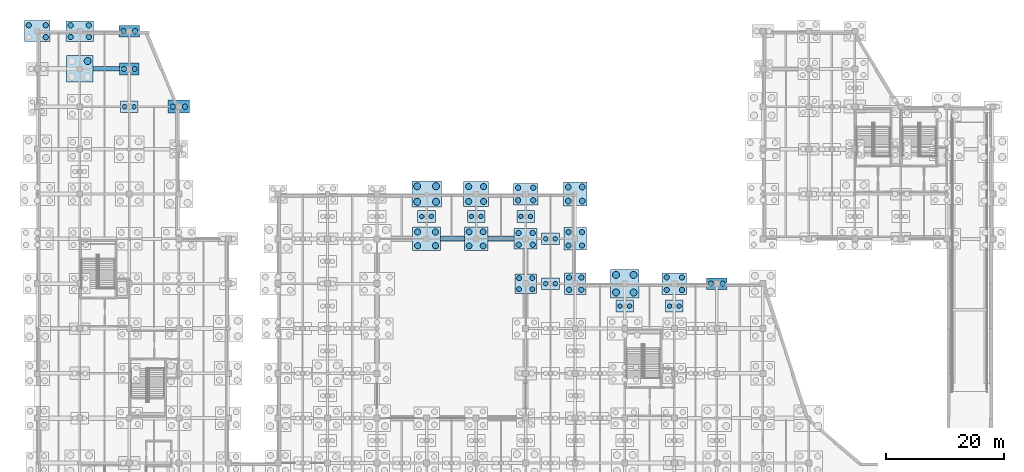
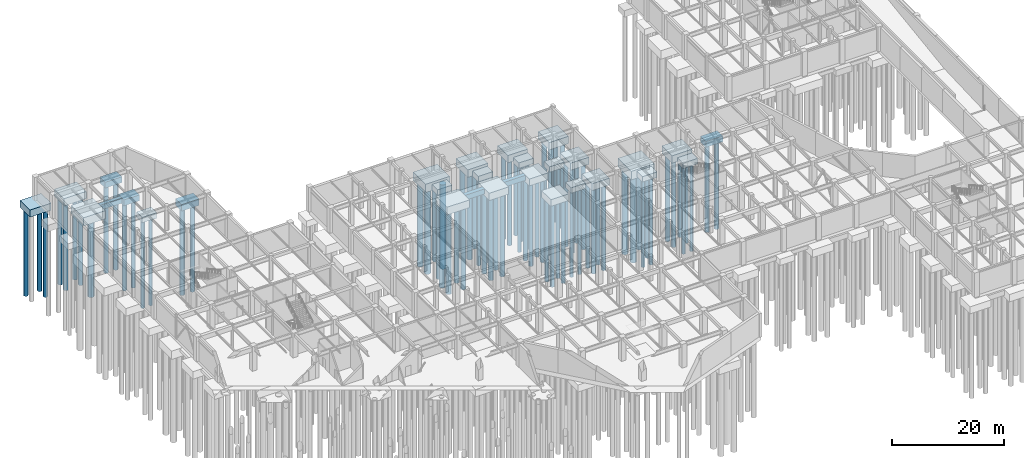
# One storey, part 9 of 52: 80 piles, 30 footings.
"""IFC4 building model written with IfcOpenShell, lengths in metres."""

from ifc_helpers import new_model, si_unit, direction, frame, origin, origin_2d, place, context, subcontext, project, spatial, rectangle, circle, extrude, material, material_profile, profile_set, type_object, element, save


model = new_model("IFC4")

# Units and contexts
model_context = context("Model", 3, precision=1e-05, world=origin(), true_north=direction((0.0, 1.0)))
body_context = subcontext(model_context, "Body", "Model", "MODEL_VIEW")
ifc_project = project(units=[si_unit("LENGTHUNIT", "METRE"), si_unit("AREAUNIT", "SQUARE_METRE"), si_unit("VOLUMEUNIT", "CUBIC_METRE"), si_unit("PLANEANGLEUNIT", "RADIAN"), si_unit("MASSUNIT", "GRAM", prefix="KILO")], contexts=[model_context])

# Site, building, storey
site_placement = place(None, origin())
site = spatial("IfcSite", under=ifc_project, at=site_placement, CompositionType="ELEMENT")
building_placement = place(site_placement, origin())
building = spatial("IfcBuilding", under=site, at=building_placement, Name="Xicomal Pleat Aquarium", CompositionType="ELEMENT")
storey_placement = place(building_placement, frame((0.0, 0.0, -5.39990234375)))
storey = spatial("IfcBuildingStorey", under=building, at=storey_placement, Name="B1", CompositionType="ELEMENT", Elevation=-5.39990234375)

# Footings
ifc_material_1 = material(Name="Concrete C40/50", Category="concrete")
ifc_material_profile_1 = material_profile(ifc_material_1, rectangle(XDim=0.75, YDim=1.10009765625, at=origin_2d()), Name="FB-04 750x1100")
ifc_profile_set_1 = profile_set([ifc_material_profile_1], Name="Concrete C40/50")
footing_type_1 = type_object("IfcFootingType", Name="FTG-FB-750x1100", PredefinedType="FOOTING_BEAM", material=ifc_profile_set_1)
footing_1_placement = place(storey_placement, frame((12.43994140625, 104.800048828125, -1.150146484375), z_axis=(1.0, 0.0, 0.0), x_axis=(0.0, 1.0, 0.0)))
element("IfcFooting", 1, at=footing_1_placement, inside=storey, type_object=footing_type_1, Name="Foundation tie beam 02-03/Q", PredefinedType="FOOTING_BEAM", context=body_context, shape_type="SweptSolid", body=[
    extrude(rectangle(XDim=0.75, YDim=1.10009765625, at=origin_2d()), origin(), (0.0, 0.0, 1.0), 4.52001953125),
])
footing_2_placement = place(storey_placement, frame((71.340087890625, 76.0, -2.10009765625), z_axis=(1.0, 0.0, 0.0), x_axis=(0.0, 1.0, 0.0)))
element("IfcFooting", 2, at=footing_2_placement, inside=storey, type_object=footing_type_1, Name="Foundation tie beam 09-10/L", PredefinedType="FOOTING_BEAM", context=body_context, shape_type="SweptSolid", body=[
    extrude(rectangle(XDim=0.75, YDim=1.10009765625, at=origin_2d()), origin(), (0.0, 0.0, 1.0), 4.06982421875),
])
footing_3_placement = place(storey_placement, frame((79.389892578125, 76.0, -2.10009765625), z_axis=(1.0, 0.0, 0.0), x_axis=(0.0, 1.0, 0.0)))
element("IfcFooting", 3, at=footing_3_placement, inside=storey, type_object=footing_type_1, Name="Foundation tie beam 10-11/L", PredefinedType="FOOTING_BEAM", context=body_context, shape_type="SweptSolid", body=[
    extrude(rectangle(XDim=0.75, YDim=1.10009765625, at=origin_2d()), origin(), (0.0, 0.0, 1.0), 4.47021484375),
])
ifc_material_2 = material(Name="Concrete C40/50", Category="concrete")
footing_type_2 = type_object("IfcFootingType", Name="FTG-PC-3000x2000x1200", PredefinedType="PILE_CAP", material=ifc_material_2)
for number, where, z_axis, x_axis, name in (
    (4, (18.60009765625, 98.39990234375, -1.80029296875), (0.0, 0.0, 1.0), (1.0, 0.0, 0.0), "Pile cap 03-P"),
    (5, (90.0, 68.39990234375, -2.14990234375), (0.0, 0.0, 1.0), (1.0, 0.0, 0.0), "Pile cap SUB-18"),
    (6, (90.0, 76.0, -2.14990234375), (0.0, 0.0, 1.0), (1.0, 0.0, 0.0), "Pile cap SUB-19"),
    (7, (69.0, 79.800048828125, -2.14990234375), (0.0, 0.0, 1.0), (1.0, 0.0, 0.0), "Pile cap SUB-46"),
    (8, (77.39990234375, 79.800048828125, -2.14990234375), (0.0, 0.0, 1.0), (1.0, 0.0, 0.0), "Pile cap SUB-49"),
    (9, (85.800048828125, 79.800048828125, -2.14990234375), (0.0, 0.0, 1.0), (1.0, 0.0, 0.0), "Pile cap SUB-52"),
    (10, (102.60009765625, 64.60009765625, -1.80029296875), (0.0, 0.0, 1.0), (1.0, 0.0, 0.0), "Pile cap SUB-57"),
    (11, (111.0, 64.60009765625, -1.80029296875), (0.0, 0.0, 1.0), (1.0, 0.0, 0.0), "Pile cap SUB-59"),
):
    element("IfcFooting", number, at=place(storey_placement, frame(where, z_axis=z_axis, x_axis=x_axis)), inside=storey, type_object=footing_type_2, Name=name, PredefinedType="PILE_CAP", context=body_context, shape_type="SweptSolid", body=[
        extrude(rectangle(XDim=3.0, YDim=2.0, at=origin_2d()), origin(), (0.0, 0.0, 1.0), 1.199951171875),
    ])
ifc_material_3 = material(Name="Concrete C40/50", Category="concrete")
footing_type_3 = type_object("IfcFootingType", Name="FTG-PC-3300x2100x1300", PredefinedType="PILE_CAP", material=ifc_material_3)
footing_4_placement = place(storey_placement, frame((18.60009765625, 104.800048828125, -1.89990234375), z_axis=(0.0, 0.0, 1.0), x_axis=(1.0, 0.0, 0.0)))
element("IfcFooting", 12, at=footing_4_placement, inside=storey, type_object=footing_type_3, Name="Pile cap 03-Q", PredefinedType="PILE_CAP", context=body_context, shape_type="SweptSolid", body=[
    extrude(rectangle(XDim=3.300048828125, YDim=2.10009765625, at=origin_2d()), origin(), (0.0, 0.0, 1.0), 1.300048828125),
])
ifc_material_4 = material(Name="Concrete C40/50", Category="concrete")
footing_type_4 = type_object("IfcFootingType", Name="FTG-PC-3500x1950x1300", PredefinedType="PILE_CAP", material=ifc_material_4)
for number, where, z_axis, x_axis, name in (
    (13, (18.60009765625, 111.199951171875, -1.89990234375), (0.0, 0.0, 1.0), (1.0, 0.0, 0.0), "Pile cap 03-R"),
    (14, (118.199951171875, 68.39990234375, -1.89990234375), (0.0, 0.0, 1.0), (1.0, 0.0, 0.0), "Pile cap 15-K"),
):
    element("IfcFooting", number, at=place(storey_placement, frame(where, z_axis=z_axis, x_axis=x_axis)), inside=storey, type_object=footing_type_4, Name=name, PredefinedType="PILE_CAP", context=body_context, shape_type="SweptSolid", body=[
        extrude(rectangle(XDim=3.5, YDim=1.949951171875, at=origin_2d()), origin(), (0.0, 0.0, 1.0), 1.300048828125),
    ])
ifc_material_5 = material(Name="Concrete C40/50", Category="concrete")
footing_type_5 = type_object("IfcFootingType", Name="FTG-PC-3600x2200x1400", PredefinedType="PILE_CAP", material=ifc_material_5)
footing_5_placement = place(storey_placement, frame((27.0, 98.39990234375, -2.0), z_axis=(0.0, 0.0, 1.0), x_axis=(1.0, 0.0, 0.0)))
element("IfcFooting", 15, at=footing_5_placement, inside=storey, type_object=footing_type_5, Name="Pile cap 04-P", PredefinedType="PILE_CAP", context=body_context, shape_type="SweptSolid", body=[
    extrude(rectangle(XDim=3.60009765625, YDim=2.199951171875, at=origin_2d()), origin(), (0.0, 0.0, 1.0), 1.39990234375),
])
ifc_material_6 = material(Name="Concrete C40/50", Category="concrete")
footing_type_6 = type_object("IfcFootingType", Name="FTG-PC-3600x3600x1500", PredefinedType="PILE_CAP", material=ifc_material_6)
footing_6_placement = place(storey_placement, frame((94.199951171875, 68.39990234375, -2.4501953125), z_axis=(0.0, 0.0, 1.0), x_axis=(1.0, 0.0, 0.0)))
element("IfcFooting", 16, at=footing_6_placement, inside=storey, type_object=footing_type_6, Name="Pile cap 12-K", PredefinedType="PILE_CAP", context=body_context, shape_type="SweptSolid", body=[
    extrude(rectangle(XDim=3.60009765625, YDim=3.60009765625, at=origin_2d()), origin(), (0.0, 0.0, 1.0), 1.5),
])
ifc_material_7 = material(Name="Concrete C40/50", Category="concrete")
footing_type_7 = type_object("IfcFootingType", Name="FTG-PC-3700x3350x1450", PredefinedType="PILE_CAP", material=ifc_material_7)
footing_7_placement = place(storey_placement, frame((85.800048828125, 68.39990234375, -3.0), z_axis=(0.0, 0.0, 1.0), x_axis=(1.0, 0.0, 0.0)))
element("IfcFooting", 17, at=footing_7_placement, inside=storey, type_object=footing_type_7, Name="Pile cap 11-K", PredefinedType="PILE_CAP", context=body_context, shape_type="SweptSolid", body=[
    extrude(rectangle(XDim=3.699951171875, YDim=3.35009765625, at=origin_2d()), origin(), (0.0, 0.0, 1.0), 1.449951171875),
])
ifc_material_8 = material(Name="Concrete C40/50", Category="concrete")
footing_type_8 = type_object("IfcFootingType", Name="FTG-PC-3800x3800x1550", PredefinedType="PILE_CAP", material=ifc_material_8)
footing_8_placement = place(storey_placement, frame((94.199951171875, 76.0, -2.5), z_axis=(0.0, 0.0, 1.0), x_axis=(1.0, 0.0, 0.0)))
element("IfcFooting", 18, at=footing_8_placement, inside=storey, type_object=footing_type_8, Name="Pile cap 12-L", PredefinedType="PILE_CAP", context=body_context, shape_type="SweptSolid", body=[
    extrude(rectangle(XDim=3.800048828125, YDim=3.800048828125, at=origin_2d()), origin(), (0.0, 0.0, 1.0), 1.550048828125),
])
ifc_material_9 = material(Name="Concrete C40/50", Category="concrete")
footing_type_9 = type_object("IfcFootingType", Name="FTG-PC-3900x3500x1500", PredefinedType="PILE_CAP", material=ifc_material_9)
footing_9_placement = place(storey_placement, frame((85.800048828125, 76.0, -3.050048828125), z_axis=(0.0, 0.0, 1.0), x_axis=(1.0, 0.0, 0.0)))
element("IfcFooting", 19, at=footing_9_placement, inside=storey, type_object=footing_type_9, Name="Pile cap 11-L", PredefinedType="PILE_CAP", context=body_context, shape_type="SweptSolid", body=[
    extrude(rectangle(XDim=3.89990234375, YDim=3.5, at=origin_2d()), origin(), (0.0, 0.0, 1.0), 1.5),
])
ifc_material_10 = material(Name="Concrete C40/50", Category="concrete")
footing_type_10 = type_object("IfcFootingType", Name="FTG-PC-4000x4000x1600", PredefinedType="PILE_CAP", material=ifc_material_10)
for number, where, z_axis, x_axis, name in (
    (20, (77.39990234375, 76.0, -3.150146484375), (0.0, 0.0, 1.0), (1.0, 0.0, 0.0), "Pile cap 10-L"),
    (21, (94.199951171875, 83.60009765625, -2.550048828125), (0.0, 0.0, 1.0), (1.0, 0.0, 0.0), "Pile cap 12-M"),
):
    element("IfcFooting", number, at=place(storey_placement, frame(where, z_axis=z_axis, x_axis=x_axis)), inside=storey, type_object=footing_type_10, Name=name, PredefinedType="PILE_CAP", context=body_context, shape_type="SweptSolid", body=[
        extrude(rectangle(XDim=4.0, YDim=4.0, at=origin_2d()), origin(), (0.0, 0.0, 1.0), 1.60009765625),
    ])
ifc_material_11 = material(Name="Concrete C40/50", Category="concrete")
footing_type_11 = type_object("IfcFootingType", Name="FTG-PC-4100x3650x1600", PredefinedType="PILE_CAP", material=ifc_material_11)
for number, where, z_axis, x_axis, name in (
    (22, (85.800048828125, 83.60009765625, -2.550048828125), (0.0, 0.0, 1.0), (1.0, 0.0, 0.0), "Pile cap 11-M"),
    (23, (111.0, 68.39990234375, -2.2001953125), (0.0, 0.0, 1.0), (1.0, 0.0, 0.0), "Pile cap 14-K"),
):
    element("IfcFooting", number, at=place(storey_placement, frame(where, z_axis=z_axis, x_axis=x_axis)), inside=storey, type_object=footing_type_11, Name=name, PredefinedType="PILE_CAP", context=body_context, shape_type="SweptSolid", body=[
        extrude(rectangle(XDim=4.10009765625, YDim=3.64990234375, at=origin_2d()), origin(), (0.0, 0.0, 1.0), 1.60009765625),
    ])
ifc_material_12 = material(Name="Concrete C40/50", Category="concrete")
footing_type_12 = type_object("IfcFootingType", Name="FTG-PC-4200x4200x1650", PredefinedType="PILE_CAP", material=ifc_material_12)
footing_10_placement = place(storey_placement, frame((77.39990234375, 83.60009765625, -2.60009765625), z_axis=(0.0, 0.0, 1.0), x_axis=(1.0, 0.0, 0.0)))
element("IfcFooting", 24, at=footing_10_placement, inside=storey, type_object=footing_type_12, Name="Pile cap 10-M", PredefinedType="PILE_CAP", context=body_context, shape_type="SweptSolid", body=[
    extrude(rectangle(XDim=4.199951171875, YDim=4.199951171875, at=origin_2d()), origin(), (0.0, 0.0, 1.0), 1.64990234375),
])
ifc_material_13 = material(Name="Concrete C40/50", Category="concrete")
footing_type_13 = type_object("IfcFootingType", Name="FTG-PC-4400x3550x1550", PredefinedType="PILE_CAP", material=ifc_material_13)
footing_11_placement = place(storey_placement, frame((3.0, 111.199951171875, -2.14990234375), z_axis=(0.0, 0.0, 1.0), x_axis=(1.0, 0.0, 0.0)))
element("IfcFooting", 25, at=footing_11_placement, inside=storey, type_object=footing_type_13, Name="Pile cap 01-R", PredefinedType="PILE_CAP", context=body_context, shape_type="SweptSolid", body=[
    extrude(rectangle(XDim=4.39990234375, YDim=3.550048828125, at=origin_2d()), origin(), (0.0, 0.0, 1.0), 1.550048828125),
])
ifc_material_14 = material(Name="Concrete C40/50", Category="concrete")
footing_type_14 = type_object("IfcFootingType", Name="FTG-PC-4500x4500x1800", PredefinedType="PILE_CAP", material=ifc_material_14)
footing_12_placement = place(storey_placement, frame((10.199951171875, 104.800048828125, -2.39990234375), z_axis=(0.0, 0.0, 1.0), x_axis=(1.0, 0.0, 0.0)))
element("IfcFooting", 26, at=footing_12_placement, inside=storey, type_object=footing_type_14, Name="Pile cap 02-Q", PredefinedType="PILE_CAP", context=body_context, shape_type="SweptSolid", body=[
    extrude(rectangle(XDim=4.5, YDim=4.5, at=origin_2d()), origin(), (0.0, 0.0, 1.0), 1.800048828125),
])
ifc_material_15 = material(Name="Concrete C40/50", Category="concrete")
footing_type_15 = type_object("IfcFootingType", Name="FTG-PC-4600x3500x1600", PredefinedType="PILE_CAP", material=ifc_material_15)
footing_13_placement = place(storey_placement, frame((10.199951171875, 111.199951171875, -2.2001953125), z_axis=(0.0, 0.0, 1.0), x_axis=(1.0, 0.0, 0.0)))
element("IfcFooting", 27, at=footing_13_placement, inside=storey, type_object=footing_type_15, Name="Pile cap 02-R", PredefinedType="PILE_CAP", context=body_context, shape_type="SweptSolid", body=[
    extrude(rectangle(XDim=4.60009765625, YDim=3.5, at=origin_2d()), origin(), (0.0, 0.0, 1.0), 1.60009765625),
])
ifc_material_16 = material(Name="Concrete C40/50", Category="concrete")
footing_type_16 = type_object("IfcFootingType", Name="FTG-PC-4700x4000x1700", PredefinedType="PILE_CAP", material=ifc_material_16)
footing_14_placement = place(storey_placement, frame((69.0, 76.0, -3.25), z_axis=(0.0, 0.0, 1.0), x_axis=(1.0, 0.0, 0.0)))
element("IfcFooting", 28, at=footing_14_placement, inside=storey, type_object=footing_type_16, Name="Pile cap 09-L", PredefinedType="PILE_CAP", context=body_context, shape_type="SweptSolid", body=[
    extrude(rectangle(XDim=4.699951171875, YDim=4.0, at=origin_2d()), origin(), (0.0, 0.0, 1.0), 1.699951171875),
])
ifc_material_17 = material(Name="Concrete C40/50", Category="concrete")
footing_type_17 = type_object("IfcFootingType", Name="FTG-PC-4800x4800x1850", PredefinedType="PILE_CAP", material=ifc_material_17)
footing_15_placement = place(storey_placement, frame((102.60009765625, 68.39990234375, -2.4501953125), z_axis=(0.0, 0.0, 1.0), x_axis=(1.0, 0.0, 0.0)))
element("IfcFooting", 29, at=footing_15_placement, inside=storey, type_object=footing_type_17, Name="Pile cap 13-K", PredefinedType="PILE_CAP", context=body_context, shape_type="SweptSolid", body=[
    extrude(rectangle(XDim=4.800048828125, YDim=4.800048828125, at=origin_2d()), origin(), (0.0, 0.0, 1.0), 1.85009765625),
])
ifc_material_18 = material(Name="Concrete C40/50", Category="concrete")
footing_type_18 = type_object("IfcFootingType", Name="FTG-PC-5000x4450x1800", PredefinedType="PILE_CAP", material=ifc_material_18)
footing_16_placement = place(storey_placement, frame((69.0, 83.60009765625, -2.75), z_axis=(0.0, 0.0, 1.0), x_axis=(1.0, 0.0, 0.0)))
element("IfcFooting", 30, at=footing_16_placement, inside=storey, type_object=footing_type_18, Name="Pile cap 09-M", PredefinedType="PILE_CAP", context=body_context, shape_type="SweptSolid", body=[
    extrude(rectangle(XDim=5.0, YDim=4.449951171875, at=origin_2d()), origin(), (0.0, 0.0, 1.0), 1.800048828125),
])

# Piles
ifc_material_19 = material(Name="Concrete C40/50", Category="concrete")
ifc_material_profile_2 = material_profile(ifc_material_19, circle(Radius=0.5, at=origin_2d()), Name="BORED PILE D1000")
ifc_profile_set_2 = profile_set([ifc_material_profile_2], Name="Concrete C40/50")
pile_type_1 = type_object("IfcPileType", Name="PIL-B-1000", PredefinedType="BORED", material=ifc_profile_set_2)
for number, where, z_axis, x_axis, name in (
    (31, (76.2099609375, 74.81005859375, -3.050048828125), (0.0, 0.0, -1.0), (1.0, 0.0, 0.0), "Bored pile 10-L-1"),
    (32, (78.590087890625, 74.81005859375, -3.050048828125), (0.0, 0.0, -1.0), (1.0, 0.0, 0.0), "Bored pile 10-L-2"),
    (33, (76.2099609375, 77.18994140625, -3.050048828125), (0.0, 0.0, -1.0), (1.0, 0.0, 0.0), "Bored pile 10-L-3"),
    (34, (78.590087890625, 77.18994140625, -3.050048828125), (0.0, 0.0, -1.0), (1.0, 0.0, 0.0), "Bored pile 10-L-4"),
):
    element("IfcPile", number, at=place(storey_placement, frame(where, z_axis=z_axis, x_axis=x_axis)), inside=storey, type_object=pile_type_1, Name=name, PredefinedType="BORED", context=body_context, shape_type="SweptSolid", body=[
        extrude(circle(Radius=0.5, at=origin_2d()), origin(), (0.0, 0.0, 1.0), 18.050048828125),
    ])
for number, where, z_axis, x_axis, name in (
    (35, (93.010009765625, 82.409912109375, -2.4501953125), (0.0, 0.0, -1.0), (1.0, 0.0, 0.0), "Bored pile 12-M-1"),
    (36, (95.389892578125, 82.409912109375, -2.4501953125), (0.0, 0.0, -1.0), (1.0, 0.0, 0.0), "Bored pile 12-M-2"),
    (37, (93.010009765625, 84.7900390625, -2.4501953125), (0.0, 0.0, -1.0), (1.0, 0.0, 0.0), "Bored pile 12-M-3"),
    (38, (95.389892578125, 84.7900390625, -2.4501953125), (0.0, 0.0, -1.0), (1.0, 0.0, 0.0), "Bored pile 12-M-4"),
):
    element("IfcPile", number, at=place(storey_placement, frame(where, z_axis=z_axis, x_axis=x_axis)), inside=storey, type_object=pile_type_1, Name=name, PredefinedType="BORED", context=body_context, shape_type="SweptSolid", body=[
        extrude(circle(Radius=0.5, at=origin_2d()), origin(), (0.0, 0.0, 1.0), 18.64990234375),
    ])
ifc_material_20 = material(Name="Concrete C40/50", Category="concrete")
ifc_material_profile_3 = material_profile(ifc_material_20, circle(Radius=0.52490234375, at=origin_2d()), Name="BORED PILE D1050")
ifc_profile_set_3 = profile_set([ifc_material_profile_3], Name="Concrete C40/50")
pile_type_2 = type_object("IfcPileType", Name="PIL-B-1050", PredefinedType="BORED", material=ifc_profile_set_3)
for number, where, z_axis, x_axis, name in (
    (39, (67.485107421875, 74.8349609375, -3.150146484375), (0.0, 0.0, -1.0), (1.0, 0.0, 0.0), "Bored pile 09-L-1"),
    (40, (70.514892578125, 74.8349609375, -3.150146484375), (0.0, 0.0, -1.0), (1.0, 0.0, 0.0), "Bored pile 09-L-2"),
    (41, (67.485107421875, 77.1650390625, -3.150146484375), (0.0, 0.0, -1.0), (1.0, 0.0, 0.0), "Bored pile 09-L-3"),
    (42, (70.514892578125, 77.1650390625, -3.150146484375), (0.0, 0.0, -1.0), (1.0, 0.0, 0.0), "Bored pile 09-L-4"),
):
    element("IfcPile", number, at=place(storey_placement, frame(where, z_axis=z_axis, x_axis=x_axis)), inside=storey, type_object=pile_type_2, Name=name, PredefinedType="BORED", context=body_context, shape_type="SweptSolid", body=[
        extrude(circle(Radius=0.52490234375, at=origin_2d()), origin(), (0.0, 0.0, 1.0), 17.949951171875),
    ])
for number, where, z_axis, x_axis, name in (
    (43, (76.135009765625, 82.3349609375, -2.5), (0.0, 0.0, -1.0), (1.0, 0.0, 0.0), "Bored pile 10-M-1"),
    (44, (78.6650390625, 82.3349609375, -2.5), (0.0, 0.0, -1.0), (1.0, 0.0, 0.0), "Bored pile 10-M-2"),
    (45, (76.135009765625, 84.864990234375, -2.5), (0.0, 0.0, -1.0), (1.0, 0.0, 0.0), "Bored pile 10-M-3"),
    (46, (78.6650390625, 84.864990234375, -2.5), (0.0, 0.0, -1.0), (1.0, 0.0, 0.0), "Bored pile 10-M-4"),
):
    element("IfcPile", number, at=place(storey_placement, frame(where, z_axis=z_axis, x_axis=x_axis)), inside=storey, type_object=pile_type_2, Name=name, PredefinedType="BORED", context=body_context, shape_type="SweptSolid", body=[
        extrude(circle(Radius=0.52490234375, at=origin_2d()), origin(), (0.0, 0.0, 1.0), 18.60009765625),
    ])
ifc_material_21 = material(Name="Concrete C40/50", Category="concrete")
ifc_material_profile_4 = material_profile(ifc_material_21, circle(Radius=0.60009765625, at=origin_2d()), Name="BORED PILE D1200")
ifc_profile_set_4 = profile_set([ifc_material_profile_4], Name="Concrete C40/50")
pile_type_3 = type_object("IfcPileType", Name="PIL-B-1200", PredefinedType="BORED", material=ifc_profile_set_4)
pile_placement = place(storey_placement, frame((11.5400390625, 106.139892578125, -2.300048828125), z_axis=(0.0, 0.0, -1.0), x_axis=(1.0, 0.0, 0.0)))
element("IfcPile", 47, at=pile_placement, inside=storey, type_object=pile_type_3, Name="Bored pile 02-Q-4", PredefinedType="BORED", context=body_context, shape_type="SweptSolid", body=[
    extrude(circle(Radius=0.60009765625, at=origin_2d()), origin(), (0.0, 0.0, 1.0), 18.800048828125),
])
for number, where, z_axis, x_axis, name in (
    (48, (67.409912109375, 82.284912109375, -2.650146484375), (0.0, 0.0, -1.0), (1.0, 0.0, 0.0), "Bored pile 09-M-1"),
    (49, (70.590087890625, 82.284912109375, -2.650146484375), (0.0, 0.0, -1.0), (1.0, 0.0, 0.0), "Bored pile 09-M-2"),
    (50, (67.409912109375, 84.9150390625, -2.650146484375), (0.0, 0.0, -1.0), (1.0, 0.0, 0.0), "Bored pile 09-M-3"),
    (51, (70.590087890625, 84.9150390625, -2.650146484375), (0.0, 0.0, -1.0), (1.0, 0.0, 0.0), "Bored pile 09-M-4"),
):
    element("IfcPile", number, at=place(storey_placement, frame(where, z_axis=z_axis, x_axis=x_axis)), inside=storey, type_object=pile_type_3, Name=name, PredefinedType="BORED", context=body_context, shape_type="SweptSolid", body=[
        extrude(circle(Radius=0.60009765625, at=origin_2d()), origin(), (0.0, 0.0, 1.0), 18.449951171875),
    ])
for number, where, z_axis, x_axis, name in (
    (52, (101.110107421875, 66.909912109375, -2.35009765625), (0.0, 0.0, -1.0), (1.0, 0.0, 0.0), "Bored pile 13-K-1"),
    (53, (104.090087890625, 66.909912109375, -2.35009765625), (0.0, 0.0, -1.0), (1.0, 0.0, 0.0), "Bored pile 13-K-2"),
    (54, (101.110107421875, 69.889892578125, -2.35009765625), (0.0, 0.0, -1.0), (1.0, 0.0, 0.0), "Bored pile 13-K-3"),
    (55, (104.090087890625, 69.889892578125, -2.35009765625), (0.0, 0.0, -1.0), (1.0, 0.0, 0.0), "Bored pile 13-K-4"),
):
    element("IfcPile", number, at=place(storey_placement, frame(where, z_axis=z_axis, x_axis=x_axis)), inside=storey, type_object=pile_type_3, Name=name, PredefinedType="BORED", context=body_context, shape_type="SweptSolid", body=[
        extrude(circle(Radius=0.60009765625, at=origin_2d()), origin(), (0.0, 0.0, 1.0), 18.75),
    ])
ifc_material_22 = material(Name="Concrete C40/50", Category="concrete")
ifc_material_profile_5 = material_profile(ifc_material_22, circle(Radius=0.375, at=origin_2d()), Name="BORED PILE D750")
ifc_profile_set_5 = profile_set([ifc_material_profile_5], Name="Concrete C40/50")
pile_type_4 = type_object("IfcPileType", Name="PIL-B-750", PredefinedType="BORED", material=ifc_profile_set_5)
for number, where, z_axis, x_axis, name in (
    (56, (17.784912109375, 98.39990234375, -1.7001953125), (0.0, 0.0, -1.0), (1.0, 0.0, 0.0), "Bored pile 03-P-1"),
    (57, (19.4150390625, 98.39990234375, -1.7001953125), (0.0, 0.0, -1.0), (1.0, 0.0, 0.0), "Bored pile 03-P-2"),
):
    element("IfcPile", number, at=place(storey_placement, frame(where, z_axis=z_axis, x_axis=x_axis)), inside=storey, type_object=pile_type_4, Name=name, PredefinedType="BORED", context=body_context, shape_type="SweptSolid", body=[
        extrude(circle(Radius=0.375, at=origin_2d()), origin(), (0.0, 0.0, 1.0), 19.39990234375),
    ])
for number, where, z_axis, x_axis, name in (
    (58, (89.18505859375, 68.39990234375, -2.050048828125), (0.0, 0.0, -1.0), (1.0, 0.0, 0.0), "Bored pile SUB-18-1"),
    (59, (90.81494140625, 68.39990234375, -2.050048828125), (0.0, 0.0, -1.0), (1.0, 0.0, 0.0), "Bored pile SUB-18-2"),
    (60, (89.18505859375, 76.0, -2.050048828125), (0.0, 0.0, -1.0), (1.0, 0.0, 0.0), "Bored pile SUB-19-1"),
    (61, (90.81494140625, 76.0, -2.050048828125), (0.0, 0.0, -1.0), (1.0, 0.0, 0.0), "Bored pile SUB-19-2"),
    (62, (68.18505859375, 79.800048828125, -2.050048828125), (0.0, 0.0, -1.0), (1.0, 0.0, 0.0), "Bored pile SUB-46-1"),
    (63, (69.81494140625, 79.800048828125, -2.050048828125), (0.0, 0.0, -1.0), (1.0, 0.0, 0.0), "Bored pile SUB-46-2"),
    (64, (76.5849609375, 79.800048828125, -2.050048828125), (0.0, 0.0, -1.0), (1.0, 0.0, 0.0), "Bored pile SUB-49-1"),
    (65, (78.215087890625, 79.800048828125, -2.050048828125), (0.0, 0.0, -1.0), (1.0, 0.0, 0.0), "Bored pile SUB-49-2"),
    (66, (84.985107421875, 79.800048828125, -2.050048828125), (0.0, 0.0, -1.0), (1.0, 0.0, 0.0), "Bored pile SUB-52-1"),
    (67, (86.614990234375, 79.800048828125, -2.050048828125), (0.0, 0.0, -1.0), (1.0, 0.0, 0.0), "Bored pile SUB-52-2"),
):
    element("IfcPile", number, at=place(storey_placement, frame(where, z_axis=z_axis, x_axis=x_axis)), inside=storey, type_object=pile_type_4, Name=name, PredefinedType="BORED", context=body_context, shape_type="SweptSolid", body=[
        extrude(circle(Radius=0.375, at=origin_2d()), origin(), (0.0, 0.0, 1.0), 19.050048828125),
    ])
for number, where, z_axis, x_axis, name in (
    (68, (101.784912109375, 64.60009765625, -1.7001953125), (0.0, 0.0, -1.0), (1.0, 0.0, 0.0), "Bored pile SUB-57-1"),
    (69, (103.4150390625, 64.60009765625, -1.7001953125), (0.0, 0.0, -1.0), (1.0, 0.0, 0.0), "Bored pile SUB-57-2"),
    (70, (110.18505859375, 64.60009765625, -1.7001953125), (0.0, 0.0, -1.0), (1.0, 0.0, 0.0), "Bored pile SUB-59-1"),
    (71, (111.81494140625, 64.60009765625, -1.7001953125), (0.0, 0.0, -1.0), (1.0, 0.0, 0.0), "Bored pile SUB-59-2"),
):
    element("IfcPile", number, at=place(storey_placement, frame(where, z_axis=z_axis, x_axis=x_axis)), inside=storey, type_object=pile_type_4, Name=name, PredefinedType="BORED", context=body_context, shape_type="SweptSolid", body=[
        extrude(circle(Radius=0.375, at=origin_2d()), origin(), (0.0, 0.0, 1.0), 19.39990234375),
    ])
ifc_material_23 = material(Name="Concrete C40/50", Category="concrete")
ifc_material_profile_6 = material_profile(ifc_material_23, circle(Radius=0.425048828125, at=origin_2d()), Name="BORED PILE D850")
ifc_profile_set_6 = profile_set([ifc_material_profile_6], Name="Concrete C40/50")
pile_type_5 = type_object("IfcPileType", Name="PIL-B-850", PredefinedType="BORED", material=ifc_profile_set_6)
for number, where, z_axis, x_axis, name in (
    (72, (17.68505859375, 104.800048828125, -1.800048828125), (0.0, 0.0, -1.0), (1.0, 0.0, 0.0), "Bored pile 03-Q-1"),
    (73, (19.514892578125, 104.800048828125, -1.800048828125), (0.0, 0.0, -1.0), (1.0, 0.0, 0.0), "Bored pile 03-Q-2"),
):
    element("IfcPile", number, at=place(storey_placement, frame(where, z_axis=z_axis, x_axis=x_axis)), inside=storey, type_object=pile_type_5, Name=name, PredefinedType="BORED", context=body_context, shape_type="SweptSolid", body=[
        extrude(circle(Radius=0.425048828125, at=origin_2d()), origin(), (0.0, 0.0, 1.0), 19.300048828125),
    ])
for number, where, z_axis, x_axis, name in (
    (74, (84.68505859375, 67.4599609375, -2.900146484375), (0.0, 0.0, -1.0), (1.0, 0.0, 0.0), "Bored pile 11-K-1"),
    (75, (86.9150390625, 67.4599609375, -2.900146484375), (0.0, 0.0, -1.0), (1.0, 0.0, 0.0), "Bored pile 11-K-2"),
    (76, (84.68505859375, 69.340087890625, -2.900146484375), (0.0, 0.0, -1.0), (1.0, 0.0, 0.0), "Bored pile 11-K-3"),
    (77, (86.9150390625, 69.340087890625, -2.900146484375), (0.0, 0.0, -1.0), (1.0, 0.0, 0.0), "Bored pile 11-K-4"),
):
    element("IfcPile", number, at=place(storey_placement, frame(where, z_axis=z_axis, x_axis=x_axis)), inside=storey, type_object=pile_type_5, Name=name, PredefinedType="BORED", context=body_context, shape_type="SweptSolid", body=[
        extrude(circle(Radius=0.425048828125, at=origin_2d()), origin(), (0.0, 0.0, 1.0), 18.199951171875),
    ])
ifc_material_24 = material(Name="Concrete C40/50", Category="concrete")
ifc_material_profile_7 = material_profile(ifc_material_24, circle(Radius=0.449951171875, at=origin_2d()), Name="BORED PILE D900")
ifc_profile_set_7 = profile_set([ifc_material_profile_7], Name="Concrete C40/50")
pile_type_6 = type_object("IfcPileType", Name="PIL-B-900", PredefinedType="BORED", material=ifc_profile_set_7)
for number, where, z_axis, x_axis, name in (
    (78, (4.43994140625, 110.18505859375, -2.050048828125), (0.0, 0.0, -1.0), (1.0, 0.0, 0.0), "Bored pile 01-R-2"),
    (79, (1.56005859375, 112.215087890625, -2.050048828125), (0.0, 0.0, -1.0), (1.0, 0.0, 0.0), "Bored pile 01-R-3"),
    (80, (4.43994140625, 112.215087890625, -2.050048828125), (0.0, 0.0, -1.0), (1.0, 0.0, 0.0), "Bored pile 01-R-4"),
):
    element("IfcPile", number, at=place(storey_placement, frame(where, z_axis=z_axis, x_axis=x_axis)), inside=storey, type_object=pile_type_6, Name=name, PredefinedType="BORED", context=body_context, shape_type="SweptSolid", body=[
        extrude(circle(Radius=0.449951171875, at=origin_2d()), origin(), (0.0, 0.0, 1.0), 19.050048828125),
    ])
for number, where, z_axis, x_axis, name in (
    (81, (8.659912109375, 110.2099609375, -2.10009765625), (0.0, 0.0, -1.0), (1.0, 0.0, 0.0), "Bored pile 02-R-1"),
    (82, (11.739990234375, 110.2099609375, -2.10009765625), (0.0, 0.0, -1.0), (1.0, 0.0, 0.0), "Bored pile 02-R-2"),
    (83, (8.659912109375, 112.18994140625, -2.10009765625), (0.0, 0.0, -1.0), (1.0, 0.0, 0.0), "Bored pile 02-R-3"),
    (84, (11.739990234375, 112.18994140625, -2.10009765625), (0.0, 0.0, -1.0), (1.0, 0.0, 0.0), "Bored pile 02-R-4"),
):
    element("IfcPile", number, at=place(storey_placement, frame(where, z_axis=z_axis, x_axis=x_axis)), inside=storey, type_object=pile_type_6, Name=name, PredefinedType="BORED", context=body_context, shape_type="SweptSolid", body=[
        extrude(circle(Radius=0.449951171875, at=origin_2d()), origin(), (0.0, 0.0, 1.0), 19.0),
    ])
for number, where, z_axis, x_axis, name in (
    (85, (17.610107421875, 111.199951171875, -1.800048828125), (0.0, 0.0, -1.0), (1.0, 0.0, 0.0), "Bored pile 03-R-1"),
    (86, (19.590087890625, 111.199951171875, -1.800048828125), (0.0, 0.0, -1.0), (1.0, 0.0, 0.0), "Bored pile 03-R-2"),
):
    element("IfcPile", number, at=place(storey_placement, frame(where, z_axis=z_axis, x_axis=x_axis)), inside=storey, type_object=pile_type_6, Name=name, PredefinedType="BORED", context=body_context, shape_type="SweptSolid", body=[
        extrude(circle(Radius=0.449951171875, at=origin_2d()), origin(), (0.0, 0.0, 1.0), 19.300048828125),
    ])
for number, where, z_axis, x_axis, name in (
    (87, (25.9599609375, 98.39990234375, -1.900146484375), (0.0, 0.0, -1.0), (1.0, 0.0, 0.0), "Bored pile 04-P-1"),
    (88, (28.0400390625, 98.39990234375, -1.900146484375), (0.0, 0.0, -1.0), (1.0, 0.0, 0.0), "Bored pile 04-P-2"),
):
    element("IfcPile", number, at=place(storey_placement, frame(where, z_axis=z_axis, x_axis=x_axis)), inside=storey, type_object=pile_type_6, Name=name, PredefinedType="BORED", context=body_context, shape_type="SweptSolid", body=[
        extrude(circle(Radius=0.449951171875, at=origin_2d()), origin(), (0.0, 0.0, 1.0), 19.199951171875),
    ])
for number, where, z_axis, x_axis, name in (
    (89, (84.610107421875, 75.010009765625, -2.9501953125), (0.0, 0.0, -1.0), (1.0, 0.0, 0.0), "Bored pile 11-L-1"),
    (90, (86.989990234375, 75.010009765625, -2.9501953125), (0.0, 0.0, -1.0), (1.0, 0.0, 0.0), "Bored pile 11-L-2"),
    (91, (84.610107421875, 76.989990234375, -2.9501953125), (0.0, 0.0, -1.0), (1.0, 0.0, 0.0), "Bored pile 11-L-3"),
    (92, (86.989990234375, 76.989990234375, -2.9501953125), (0.0, 0.0, -1.0), (1.0, 0.0, 0.0), "Bored pile 11-L-4"),
):
    element("IfcPile", number, at=place(storey_placement, frame(where, z_axis=z_axis, x_axis=x_axis)), inside=storey, type_object=pile_type_6, Name=name, PredefinedType="BORED", context=body_context, shape_type="SweptSolid", body=[
        extrude(circle(Radius=0.449951171875, at=origin_2d()), origin(), (0.0, 0.0, 1.0), 18.14990234375),
    ])
for number, where, z_axis, x_axis, name in (
    (93, (84.510009765625, 82.534912109375, -2.4501953125), (0.0, 0.0, -1.0), (1.0, 0.0, 0.0), "Bored pile 11-M-1"),
    (94, (87.090087890625, 82.534912109375, -2.4501953125), (0.0, 0.0, -1.0), (1.0, 0.0, 0.0), "Bored pile 11-M-2"),
    (95, (84.510009765625, 84.6650390625, -2.4501953125), (0.0, 0.0, -1.0), (1.0, 0.0, 0.0), "Bored pile 11-M-3"),
    (96, (87.090087890625, 84.6650390625, -2.4501953125), (0.0, 0.0, -1.0), (1.0, 0.0, 0.0), "Bored pile 11-M-4"),
):
    element("IfcPile", number, at=place(storey_placement, frame(where, z_axis=z_axis, x_axis=x_axis)), inside=storey, type_object=pile_type_6, Name=name, PredefinedType="BORED", context=body_context, shape_type="SweptSolid", body=[
        extrude(circle(Radius=0.449951171875, at=origin_2d()), origin(), (0.0, 0.0, 1.0), 18.64990234375),
    ])
for number, where, z_axis, x_axis, name in (
    (97, (93.159912109375, 67.360107421875, -2.35009765625), (0.0, 0.0, -1.0), (1.0, 0.0, 0.0), "Bored pile 12-K-1"),
    (98, (95.239990234375, 67.360107421875, -2.35009765625), (0.0, 0.0, -1.0), (1.0, 0.0, 0.0), "Bored pile 12-K-2"),
    (99, (93.159912109375, 69.43994140625, -2.35009765625), (0.0, 0.0, -1.0), (1.0, 0.0, 0.0), "Bored pile 12-K-3"),
    (100, (95.239990234375, 69.43994140625, -2.35009765625), (0.0, 0.0, -1.0), (1.0, 0.0, 0.0), "Bored pile 12-K-4"),
):
    element("IfcPile", number, at=place(storey_placement, frame(where, z_axis=z_axis, x_axis=x_axis)), inside=storey, type_object=pile_type_6, Name=name, PredefinedType="BORED", context=body_context, shape_type="SweptSolid", body=[
        extrude(circle(Radius=0.449951171875, at=origin_2d()), origin(), (0.0, 0.0, 1.0), 18.75),
    ])
for number, where, z_axis, x_axis, name in (
    (101, (93.06005859375, 74.860107421875, -2.400146484375), (0.0, 0.0, -1.0), (1.0, 0.0, 0.0), "Bored pile 12-L-1"),
    (102, (95.340087890625, 74.860107421875, -2.400146484375), (0.0, 0.0, -1.0), (1.0, 0.0, 0.0), "Bored pile 12-L-2"),
    (103, (93.06005859375, 77.139892578125, -2.400146484375), (0.0, 0.0, -1.0), (1.0, 0.0, 0.0), "Bored pile 12-L-3"),
    (104, (95.340087890625, 77.139892578125, -2.400146484375), (0.0, 0.0, -1.0), (1.0, 0.0, 0.0), "Bored pile 12-L-4"),
):
    element("IfcPile", number, at=place(storey_placement, frame(where, z_axis=z_axis, x_axis=x_axis)), inside=storey, type_object=pile_type_6, Name=name, PredefinedType="BORED", context=body_context, shape_type="SweptSolid", body=[
        extrude(circle(Radius=0.449951171875, at=origin_2d()), origin(), (0.0, 0.0, 1.0), 18.699951171875),
    ])
for number, where, z_axis, x_axis, name in (
    (105, (109.7099609375, 67.3349609375, -2.10009765625), (0.0, 0.0, -1.0), (1.0, 0.0, 0.0), "Bored pile 14-K-1"),
    (106, (112.2900390625, 67.3349609375, -2.10009765625), (0.0, 0.0, -1.0), (1.0, 0.0, 0.0), "Bored pile 14-K-2"),
    (107, (109.7099609375, 69.465087890625, -2.10009765625), (0.0, 0.0, -1.0), (1.0, 0.0, 0.0), "Bored pile 14-K-3"),
    (108, (112.2900390625, 69.465087890625, -2.10009765625), (0.0, 0.0, -1.0), (1.0, 0.0, 0.0), "Bored pile 14-K-4"),
):
    element("IfcPile", number, at=place(storey_placement, frame(where, z_axis=z_axis, x_axis=x_axis)), inside=storey, type_object=pile_type_6, Name=name, PredefinedType="BORED", context=body_context, shape_type="SweptSolid", body=[
        extrude(circle(Radius=0.449951171875, at=origin_2d()), origin(), (0.0, 0.0, 1.0), 19.0),
    ])
for number, where, z_axis, x_axis, name in (
    (109, (117.2099609375, 68.39990234375, -1.800048828125), (0.0, 0.0, -1.0), (1.0, 0.0, 0.0), "Bored pile 15-K-1"),
    (110, (119.18994140625, 68.39990234375, -1.800048828125), (0.0, 0.0, -1.0), (1.0, 0.0, 0.0), "Bored pile 15-K-2"),
):
    element("IfcPile", number, at=place(storey_placement, frame(where, z_axis=z_axis, x_axis=x_axis)), inside=storey, type_object=pile_type_6, Name=name, PredefinedType="BORED", context=body_context, shape_type="SweptSolid", body=[
        extrude(circle(Radius=0.449951171875, at=origin_2d()), origin(), (0.0, 0.0, 1.0), 19.300048828125),
    ])

save(model, "model.ifc")
